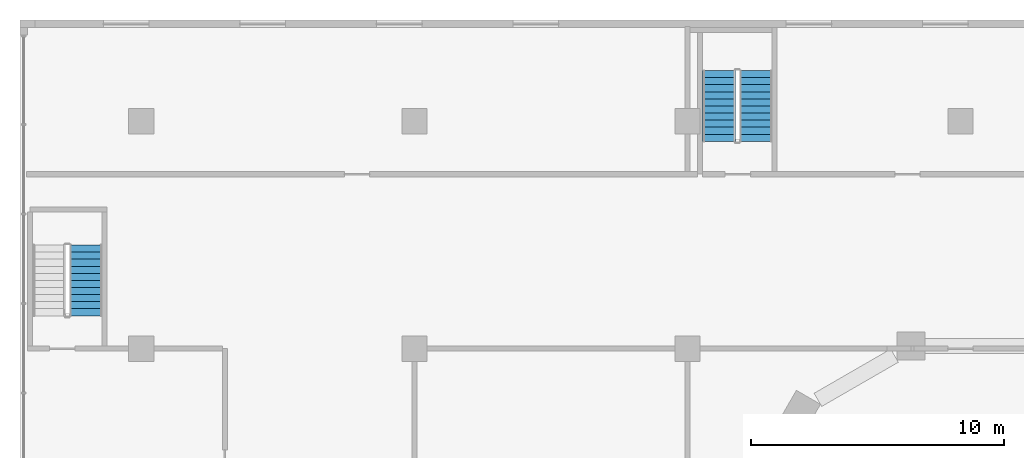
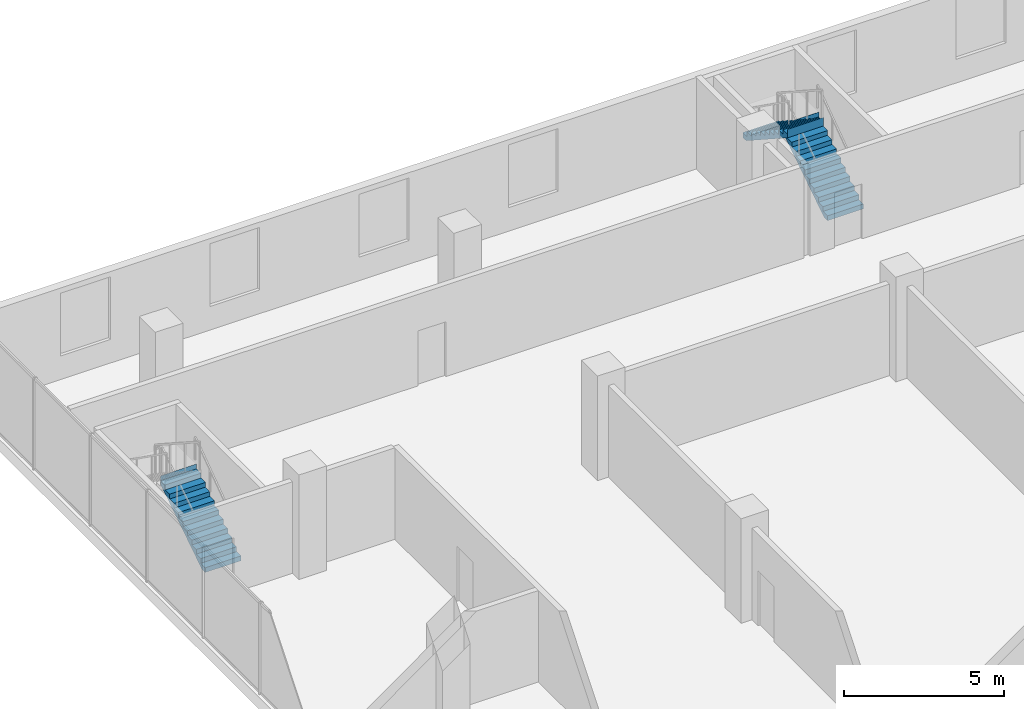
# One storey, part 37 of 45: 3 stair flights, 2 elements without a shape of their own.
"""IFC4 building model written with IfcOpenShell, lengths in metres."""

from ifc_helpers import new_model, si_unit, direction, frame, origin, place, context, subcontext, project, spatial, triangles, material, type_object, element, aggregate, save


model = new_model("IFC4")

# Units and contexts
model_context = context("Model", 3, precision=1e-05, world=origin(), true_north=direction((0.0, 1.0)))
body_context = subcontext(model_context, "Body", "Model", "MODEL_VIEW")
ifc_project = project(units=[si_unit("LENGTHUNIT", "METRE"), si_unit("AREAUNIT", "SQUARE_METRE"), si_unit("VOLUMEUNIT", "CUBIC_METRE"), si_unit("PLANEANGLEUNIT", "RADIAN"), si_unit("MASSUNIT", "GRAM", prefix="KILO")], contexts=[model_context])

# Site, building, storey
site_placement = place(None, origin())
site = spatial("IfcSite", under=ifc_project, at=site_placement, CompositionType="ELEMENT")
building_placement = place(site_placement, origin())
building = spatial("IfcBuilding", under=site, at=building_placement, Name="Beryl Residences", CompositionType="ELEMENT")
storey_placement = place(building_placement, frame((0.0, 0.0, 5.0)))
storey = spatial("IfcBuildingStorey", under=building, at=storey_placement, Name="L01", CompositionType="ELEMENT", Elevation=5.0)

# Stair, stair flights
ifc_material_1 = material(Name="Concrete C40/50", Category="concrete")
stair_type = type_object("IfcStairType", Name="ST1 protected exit stair, half-turn, 1300 mm flights", PredefinedType="HALF_TURN_STAIR", material=ifc_material_1)
stair_1_placement = place(storey_placement, origin())
stair_1 = element("IfcStair", 1, at=stair_1_placement, inside=storey, type_object=stair_type, Name="L01 Podium exit stair 1", PredefinedType="HALF_TURN_STAIR")
ifc_material_2 = material(Name="Concrete C40/50", Category="concrete")
stair_flight_type = type_object("IfcStairFlightType", Name="SF1 stair flight 1300 mm", PredefinedType="STRAIGHT", material=ifc_material_2)
stair_flight_1_placement = place(storey_placement, frame((-18.89990234375, 35.199951171875, 0.0), z_axis=(0.0, 0.0, 1.0), x_axis=(0.0, 1.0, 0.0)))
stair_flight_1 = element("IfcStairFlight", 2, at=stair_flight_1_placement, type_object=stair_flight_type, Name="PS-1 flight 1", NumberOfRisers=11, NumberOfTreads=10, PredefinedType="STRAIGHT", RiserHeight=0.181818182, TreadLength=0.28, context=body_context, shape_type="Tessellation", body=[
    triangles([(0.0, -0.64990234375, 0.0), (0.0, -0.324951171875, 0.0), (0.0, 0.0, 0.0), (0.0, 0.324951171875, 0.0), (0.0, 0.64990234375, 0.0), (0.0, -0.64990234375, 0.181884765625), (0.0, -0.324951171875, 0.181884765625), (0.0, 0.0, 0.181884765625), (0.0, 0.324951171875, 0.181884765625), (0.0, 0.64990234375, 0.181884765625), (0.280029296875, -0.64990234375, 0.181884765625), (0.280029296875, -0.324951171875, 0.181884765625), (0.280029296875, 0.0, 0.181884765625), (0.280029296875, 0.324951171875, 0.181884765625), (0.280029296875, 0.64990234375, 0.181884765625), (0.280029296875, -0.64990234375, 0.363525390625), (0.280029296875, -0.324951171875, 0.363525390625), (0.280029296875, 0.0, 0.363525390625), (0.280029296875, 0.324951171875, 0.363525390625), (0.280029296875, 0.64990234375, 0.363525390625), (0.56005859375, -0.64990234375, 0.363525390625), (0.56005859375, -0.324951171875, 0.363525390625), (0.56005859375, 0.0, 0.363525390625), (0.56005859375, 0.324951171875, 0.363525390625), (0.56005859375, 0.64990234375, 0.363525390625), (0.56005859375, -0.64990234375, 0.54541015625), (0.56005859375, -0.324951171875, 0.54541015625), (0.56005859375, 0.0, 0.54541015625), (0.56005859375, 0.324951171875, 0.54541015625), (0.56005859375, 0.64990234375, 0.54541015625), (0.840087890625, -0.64990234375, 0.54541015625), (0.840087890625, -0.324951171875, 0.54541015625), (0.840087890625, 0.0, 0.54541015625), (0.840087890625, 0.324951171875, 0.54541015625), (0.840087890625, 0.64990234375, 0.54541015625), (0.840087890625, -0.64990234375, 0.727294921875), (0.840087890625, -0.324951171875, 0.727294921875), (0.840087890625, 0.0, 0.727294921875), (0.840087890625, 0.324951171875, 0.727294921875), (0.840087890625, 0.64990234375, 0.727294921875), (1.1201171875, -0.64990234375, 0.727294921875), (1.1201171875, -0.324951171875, 0.727294921875), (1.1201171875, 0.0, 0.727294921875), (1.1201171875, 0.324951171875, 0.727294921875), (1.1201171875, 0.64990234375, 0.727294921875), (1.1201171875, -0.64990234375, 0.9091796875), (1.1201171875, -0.324951171875, 0.9091796875), (1.1201171875, 0.0, 0.9091796875), (1.1201171875, 0.324951171875, 0.9091796875), (1.1201171875, 0.64990234375, 0.9091796875), (1.39990234375, -0.64990234375, 0.9091796875), (1.39990234375, -0.324951171875, 0.9091796875), (1.39990234375, 0.0, 0.9091796875), (1.39990234375, 0.324951171875, 0.9091796875), (1.39990234375, 0.64990234375, 0.9091796875), (1.39990234375, -0.64990234375, 1.0908203125), (1.39990234375, -0.324951171875, 1.0908203125), (1.39990234375, 0.0, 1.0908203125), (1.39990234375, 0.324951171875, 1.0908203125), (1.39990234375, 0.64990234375, 1.0908203125), (1.679931640625, -0.64990234375, 1.0908203125), (1.679931640625, -0.324951171875, 1.0908203125), (1.679931640625, 0.0, 1.0908203125), (1.679931640625, 0.324951171875, 1.0908203125), (1.679931640625, 0.64990234375, 1.0908203125), (1.679931640625, -0.64990234375, 1.272705078125), (1.679931640625, -0.324951171875, 1.272705078125), (1.679931640625, 0.0, 1.272705078125), (1.679931640625, 0.324951171875, 1.272705078125), (1.679931640625, 0.64990234375, 1.272705078125), (1.9599609375, -0.64990234375, 1.272705078125), (1.9599609375, -0.324951171875, 1.272705078125), (1.9599609375, 0.0, 1.272705078125), (1.9599609375, 0.324951171875, 1.272705078125), (1.9599609375, 0.64990234375, 1.272705078125), (1.9599609375, -0.64990234375, 1.45458984375), (1.9599609375, -0.324951171875, 1.45458984375), (1.9599609375, 0.0, 1.45458984375), (1.9599609375, 0.324951171875, 1.45458984375), (1.9599609375, 0.64990234375, 1.45458984375), (2.239990234375, -0.64990234375, 1.45458984375), (2.239990234375, -0.324951171875, 1.45458984375), (2.239990234375, 0.0, 1.45458984375), (2.239990234375, 0.324951171875, 1.45458984375), (2.239990234375, 0.64990234375, 1.45458984375), (2.239990234375, -0.64990234375, 1.636474609375), (2.239990234375, -0.324951171875, 1.636474609375), (2.239990234375, 0.0, 1.636474609375), (2.239990234375, 0.324951171875, 1.636474609375), (2.239990234375, 0.64990234375, 1.636474609375), (2.52001953125, -0.64990234375, 1.636474609375), (2.52001953125, -0.324951171875, 1.636474609375), (2.52001953125, 0.0, 1.636474609375), (2.52001953125, 0.324951171875, 1.636474609375), (2.52001953125, 0.64990234375, 1.636474609375), (2.52001953125, -0.64990234375, 1.818115234375), (2.52001953125, -0.324951171875, 1.818115234375), (2.52001953125, 0.0, 1.818115234375), (2.52001953125, 0.324951171875, 1.818115234375), (2.52001953125, 0.64990234375, 1.818115234375), (2.800048828125, -0.64990234375, 1.818115234375), (2.800048828125, -0.324951171875, 1.818115234375), (2.800048828125, 0.0, 1.818115234375), (2.800048828125, 0.324951171875, 1.818115234375), (2.800048828125, 0.64990234375, 1.818115234375), (2.800048828125, -0.64990234375, 2.0), (2.800048828125, -0.324951171875, 2.0), (2.800048828125, 0.0, 2.0), (2.800048828125, 0.324951171875, 2.0), (2.800048828125, 0.64990234375, 2.0), (2.801025390625, -0.64990234375, 2.0), (2.801025390625, -0.324951171875, 2.0), (2.801025390625, 0.0, 2.0), (2.801025390625, 0.324951171875, 2.0), (2.801025390625, 0.64990234375, 2.0), (2.801025390625, -0.64990234375, 1.675048828125), (2.801025390625, -0.324951171875, 1.675048828125), (2.801025390625, 0.0, 1.675048828125), (2.801025390625, 0.324951171875, 1.675048828125), (2.801025390625, 0.64990234375, 1.675048828125), (0.221435546875, -0.64990234375, 0.0), (0.221435546875, -0.324951171875, 0.0), (0.221435546875, 0.0, 0.0), (0.221435546875, 0.324951171875, 0.0), (0.221435546875, 0.64990234375, 0.0)], [[1, 6, 7], [1, 7, 2], [2, 7, 8], [2, 8, 3], [3, 8, 9], [3, 9, 4], [4, 9, 10], [4, 10, 5], [6, 11, 12], [6, 12, 7], [7, 12, 13], [7, 13, 8], [8, 13, 14], [8, 14, 9], [9, 14, 15], [9, 15, 10], [11, 16, 17], [11, 17, 12], [12, 17, 18], [12, 18, 13], [13, 18, 19], [13, 19, 14], [14, 19, 20], [14, 20, 15], [16, 21, 22], [16, 22, 17], [17, 22, 23], [17, 23, 18], [18, 23, 24], [18, 24, 19], [19, 24, 25], [19, 25, 20], [21, 26, 27], [21, 27, 22], [22, 27, 28], [22, 28, 23], [23, 28, 29], [23, 29, 24], [24, 29, 30], [24, 30, 25], [26, 31, 32], [26, 32, 27], [27, 32, 33], [27, 33, 28], [28, 33, 34], [28, 34, 29], [29, 34, 35], [29, 35, 30], [31, 36, 37], [31, 37, 32], [32, 37, 38], [32, 38, 33], [33, 38, 39], [33, 39, 34], [34, 39, 40], [34, 40, 35], [36, 41, 42], [36, 42, 37], [37, 42, 43], [37, 43, 38], [38, 43, 44], [38, 44, 39], [39, 44, 45], [39, 45, 40], [41, 46, 47], [41, 47, 42], [42, 47, 48], [42, 48, 43], [43, 48, 49], [43, 49, 44], [44, 49, 50], [44, 50, 45], [46, 51, 52], [46, 52, 47], [47, 52, 53], [47, 53, 48], [48, 53, 54], [48, 54, 49], [49, 54, 55], [49, 55, 50], [51, 56, 57], [51, 57, 52], [52, 57, 58], [52, 58, 53], [53, 58, 59], [53, 59, 54], [54, 59, 60], [54, 60, 55], [56, 61, 62], [56, 62, 57], [57, 62, 63], [57, 63, 58], [58, 63, 64], [58, 64, 59], [59, 64, 65], [59, 65, 60], [61, 66, 67], [61, 67, 62], [62, 67, 68], [62, 68, 63], [63, 68, 69], [63, 69, 64], [64, 69, 70], [64, 70, 65], [66, 71, 72], [66, 72, 67], [67, 72, 73], [67, 73, 68], [68, 73, 74], [68, 74, 69], [69, 74, 75], [69, 75, 70], [71, 76, 77], [71, 77, 72], [72, 77, 78], [72, 78, 73], [73, 78, 79], [73, 79, 74], [74, 79, 80], [74, 80, 75], [76, 81, 82], [76, 82, 77], [77, 82, 83], [77, 83, 78], [78, 83, 84], [78, 84, 79], [79, 84, 85], [79, 85, 80], [81, 86, 87], [81, 87, 82], [82, 87, 88], [82, 88, 83], [83, 88, 89], [83, 89, 84], [84, 89, 90], [84, 90, 85], [86, 91, 92], [86, 92, 87], [87, 92, 93], [87, 93, 88], [88, 93, 94], [88, 94, 89], [89, 94, 95], [89, 95, 90], [91, 96, 97], [91, 97, 92], [92, 97, 98], [92, 98, 93], [93, 98, 99], [93, 99, 94], [94, 99, 100], [94, 100, 95], [96, 101, 102], [96, 102, 97], [97, 102, 103], [97, 103, 98], [98, 103, 104], [98, 104, 99], [99, 104, 105], [99, 105, 100], [101, 106, 107], [101, 107, 102], [102, 107, 108], [102, 108, 103], [103, 108, 109], [103, 109, 104], [104, 109, 110], [104, 110, 105], [106, 111, 112], [106, 112, 107], [107, 112, 113], [107, 113, 108], [108, 113, 114], [108, 114, 109], [109, 114, 115], [109, 115, 110], [111, 116, 117], [111, 117, 112], [112, 117, 118], [112, 118, 113], [113, 118, 119], [113, 119, 114], [114, 119, 120], [114, 120, 115], [116, 121, 122], [116, 122, 117], [117, 122, 123], [117, 123, 118], [118, 123, 124], [118, 124, 119], [119, 124, 125], [119, 125, 120], [121, 1, 2], [121, 2, 122], [122, 2, 3], [122, 3, 123], [123, 3, 4], [123, 4, 124], [124, 4, 5], [124, 5, 125], [1, 121, 116], [5, 120, 125], [116, 111, 106], [120, 110, 115], [116, 106, 101], [120, 105, 110], [116, 101, 96], [120, 100, 105], [116, 96, 91], [120, 95, 100], [91, 86, 81], [95, 85, 90], [116, 91, 81], [120, 85, 95], [81, 76, 71], [85, 75, 80], [116, 81, 71], [120, 75, 85], [71, 66, 61], [75, 65, 70], [116, 71, 61], [120, 65, 75], [61, 56, 51], [65, 55, 60], [116, 61, 51], [120, 55, 65], [51, 46, 41], [55, 45, 50], [116, 51, 41], [120, 45, 55], [41, 36, 31], [45, 35, 40], [116, 41, 31], [120, 35, 45], [31, 26, 21], [35, 25, 30], [116, 31, 21], [120, 25, 35], [1, 116, 21], [5, 25, 120], [21, 16, 11], [25, 15, 20], [1, 21, 11], [5, 15, 25], [11, 6, 1], [15, 5, 10]], closed=True),
])
stair_flight_2_placement = place(storey_placement, frame((-20.35009765625, 38.0, 2.0), z_axis=(0.0, 0.0, 1.0), x_axis=(0.0, -1.0, 0.0)))
stair_flight_2 = element("IfcStairFlight", 3, at=stair_flight_2_placement, type_object=stair_flight_type, Name="PS-1 flight 2", NumberOfRisers=11, NumberOfTreads=10, PredefinedType="STRAIGHT", RiserHeight=0.181818182, TreadLength=0.28, context=body_context, shape_type="Tessellation", body=[
    triangles([(0.0, -0.64990234375, 0.0), (0.0, -0.324951171875, 0.0), (0.0, 0.0, 0.0), (0.0, 0.324951171875, 0.0), (0.0, 0.64990234375, 0.0), (0.0, -0.64990234375, 0.181884765625), (0.0, -0.324951171875, 0.181884765625), (0.0, 0.0, 0.181884765625), (0.0, 0.324951171875, 0.181884765625), (0.0, 0.64990234375, 0.181884765625), (0.280029296875, -0.64990234375, 0.181884765625), (0.280029296875, -0.324951171875, 0.181884765625), (0.280029296875, 0.0, 0.181884765625), (0.280029296875, 0.324951171875, 0.181884765625), (0.280029296875, 0.64990234375, 0.181884765625), (0.280029296875, -0.64990234375, 0.363525390625), (0.280029296875, -0.324951171875, 0.363525390625), (0.280029296875, 0.0, 0.363525390625), (0.280029296875, 0.324951171875, 0.363525390625), (0.280029296875, 0.64990234375, 0.363525390625), (0.56005859375, -0.64990234375, 0.363525390625), (0.56005859375, -0.324951171875, 0.363525390625), (0.56005859375, 0.0, 0.363525390625), (0.56005859375, 0.324951171875, 0.363525390625), (0.56005859375, 0.64990234375, 0.363525390625), (0.56005859375, -0.64990234375, 0.54541015625), (0.56005859375, -0.324951171875, 0.54541015625), (0.56005859375, 0.0, 0.54541015625), (0.56005859375, 0.324951171875, 0.54541015625), (0.56005859375, 0.64990234375, 0.54541015625), (0.840087890625, -0.64990234375, 0.54541015625), (0.840087890625, -0.324951171875, 0.54541015625), (0.840087890625, 0.0, 0.54541015625), (0.840087890625, 0.324951171875, 0.54541015625), (0.840087890625, 0.64990234375, 0.54541015625), (0.840087890625, -0.64990234375, 0.727294921875), (0.840087890625, -0.324951171875, 0.727294921875), (0.840087890625, 0.0, 0.727294921875), (0.840087890625, 0.324951171875, 0.727294921875), (0.840087890625, 0.64990234375, 0.727294921875), (1.1201171875, -0.64990234375, 0.727294921875), (1.1201171875, -0.324951171875, 0.727294921875), (1.1201171875, 0.0, 0.727294921875), (1.1201171875, 0.324951171875, 0.727294921875), (1.1201171875, 0.64990234375, 0.727294921875), (1.1201171875, -0.64990234375, 0.9091796875), (1.1201171875, -0.324951171875, 0.9091796875), (1.1201171875, 0.0, 0.9091796875), (1.1201171875, 0.324951171875, 0.9091796875), (1.1201171875, 0.64990234375, 0.9091796875), (1.39990234375, -0.64990234375, 0.9091796875), (1.39990234375, -0.324951171875, 0.9091796875), (1.39990234375, 0.0, 0.9091796875), (1.39990234375, 0.324951171875, 0.9091796875), (1.39990234375, 0.64990234375, 0.9091796875), (1.39990234375, -0.64990234375, 1.0908203125), (1.39990234375, -0.324951171875, 1.0908203125), (1.39990234375, 0.0, 1.0908203125), (1.39990234375, 0.324951171875, 1.0908203125), (1.39990234375, 0.64990234375, 1.0908203125), (1.679931640625, -0.64990234375, 1.0908203125), (1.679931640625, -0.324951171875, 1.0908203125), (1.679931640625, 0.0, 1.0908203125), (1.679931640625, 0.324951171875, 1.0908203125), (1.679931640625, 0.64990234375, 1.0908203125), (1.679931640625, -0.64990234375, 1.272705078125), (1.679931640625, -0.324951171875, 1.272705078125), (1.679931640625, 0.0, 1.272705078125), (1.679931640625, 0.324951171875, 1.272705078125), (1.679931640625, 0.64990234375, 1.272705078125), (1.9599609375, -0.64990234375, 1.272705078125), (1.9599609375, -0.324951171875, 1.272705078125), (1.9599609375, 0.0, 1.272705078125), (1.9599609375, 0.324951171875, 1.272705078125), (1.9599609375, 0.64990234375, 1.272705078125), (1.9599609375, -0.64990234375, 1.45458984375), (1.9599609375, -0.324951171875, 1.45458984375), (1.9599609375, 0.0, 1.45458984375), (1.9599609375, 0.324951171875, 1.45458984375), (1.9599609375, 0.64990234375, 1.45458984375), (2.239990234375, -0.64990234375, 1.45458984375), (2.239990234375, -0.324951171875, 1.45458984375), (2.239990234375, 0.0, 1.45458984375), (2.239990234375, 0.324951171875, 1.45458984375), (2.239990234375, 0.64990234375, 1.45458984375), (2.239990234375, -0.64990234375, 1.636474609375), (2.239990234375, -0.324951171875, 1.636474609375), (2.239990234375, 0.0, 1.636474609375), (2.239990234375, 0.324951171875, 1.636474609375), (2.239990234375, 0.64990234375, 1.636474609375), (2.52001953125, -0.64990234375, 1.636474609375), (2.52001953125, -0.324951171875, 1.636474609375), (2.52001953125, 0.0, 1.636474609375), (2.52001953125, 0.324951171875, 1.636474609375), (2.52001953125, 0.64990234375, 1.636474609375), (2.52001953125, -0.64990234375, 1.818115234375), (2.52001953125, -0.324951171875, 1.818115234375), (2.52001953125, 0.0, 1.818115234375), (2.52001953125, 0.324951171875, 1.818115234375), (2.52001953125, 0.64990234375, 1.818115234375), (2.800048828125, -0.64990234375, 1.818115234375), (2.800048828125, -0.324951171875, 1.818115234375), (2.800048828125, 0.0, 1.818115234375), (2.800048828125, 0.324951171875, 1.818115234375), (2.800048828125, 0.64990234375, 1.818115234375), (2.800048828125, -0.64990234375, 2.0), (2.800048828125, -0.324951171875, 2.0), (2.800048828125, 0.0, 2.0), (2.800048828125, 0.324951171875, 2.0), (2.800048828125, 0.64990234375, 2.0), (2.801025390625, -0.64990234375, 2.0), (2.801025390625, -0.324951171875, 2.0), (2.801025390625, 0.0, 2.0), (2.801025390625, 0.324951171875, 2.0), (2.801025390625, 0.64990234375, 2.0), (2.801025390625, -0.64990234375, 1.675048828125), (2.801025390625, -0.324951171875, 1.675048828125), (2.801025390625, 0.0, 1.675048828125), (2.801025390625, 0.324951171875, 1.675048828125), (2.801025390625, 0.64990234375, 1.675048828125), (0.221435546875, -0.64990234375, 0.0), (0.221435546875, -0.324951171875, 0.0), (0.221435546875, 0.0, 0.0), (0.221435546875, 0.324951171875, 0.0), (0.221435546875, 0.64990234375, 0.0)], [[1, 6, 7], [1, 7, 2], [2, 7, 8], [2, 8, 3], [3, 8, 9], [3, 9, 4], [4, 9, 10], [4, 10, 5], [6, 11, 12], [6, 12, 7], [7, 12, 13], [7, 13, 8], [8, 13, 14], [8, 14, 9], [9, 14, 15], [9, 15, 10], [11, 16, 17], [11, 17, 12], [12, 17, 18], [12, 18, 13], [13, 18, 19], [13, 19, 14], [14, 19, 20], [14, 20, 15], [16, 21, 22], [16, 22, 17], [17, 22, 23], [17, 23, 18], [18, 23, 24], [18, 24, 19], [19, 24, 25], [19, 25, 20], [21, 26, 27], [21, 27, 22], [22, 27, 28], [22, 28, 23], [23, 28, 29], [23, 29, 24], [24, 29, 30], [24, 30, 25], [26, 31, 32], [26, 32, 27], [27, 32, 33], [27, 33, 28], [28, 33, 34], [28, 34, 29], [29, 34, 35], [29, 35, 30], [31, 36, 37], [31, 37, 32], [32, 37, 38], [32, 38, 33], [33, 38, 39], [33, 39, 34], [34, 39, 40], [34, 40, 35], [36, 41, 42], [36, 42, 37], [37, 42, 43], [37, 43, 38], [38, 43, 44], [38, 44, 39], [39, 44, 45], [39, 45, 40], [41, 46, 47], [41, 47, 42], [42, 47, 48], [42, 48, 43], [43, 48, 49], [43, 49, 44], [44, 49, 50], [44, 50, 45], [46, 51, 52], [46, 52, 47], [47, 52, 53], [47, 53, 48], [48, 53, 54], [48, 54, 49], [49, 54, 55], [49, 55, 50], [51, 56, 57], [51, 57, 52], [52, 57, 58], [52, 58, 53], [53, 58, 59], [53, 59, 54], [54, 59, 60], [54, 60, 55], [56, 61, 62], [56, 62, 57], [57, 62, 63], [57, 63, 58], [58, 63, 64], [58, 64, 59], [59, 64, 65], [59, 65, 60], [61, 66, 67], [61, 67, 62], [62, 67, 68], [62, 68, 63], [63, 68, 69], [63, 69, 64], [64, 69, 70], [64, 70, 65], [66, 71, 72], [66, 72, 67], [67, 72, 73], [67, 73, 68], [68, 73, 74], [68, 74, 69], [69, 74, 75], [69, 75, 70], [71, 76, 77], [71, 77, 72], [72, 77, 78], [72, 78, 73], [73, 78, 79], [73, 79, 74], [74, 79, 80], [74, 80, 75], [76, 81, 82], [76, 82, 77], [77, 82, 83], [77, 83, 78], [78, 83, 84], [78, 84, 79], [79, 84, 85], [79, 85, 80], [81, 86, 87], [81, 87, 82], [82, 87, 88], [82, 88, 83], [83, 88, 89], [83, 89, 84], [84, 89, 90], [84, 90, 85], [86, 91, 92], [86, 92, 87], [87, 92, 93], [87, 93, 88], [88, 93, 94], [88, 94, 89], [89, 94, 95], [89, 95, 90], [91, 96, 97], [91, 97, 92], [92, 97, 98], [92, 98, 93], [93, 98, 99], [93, 99, 94], [94, 99, 100], [94, 100, 95], [96, 101, 102], [96, 102, 97], [97, 102, 103], [97, 103, 98], [98, 103, 104], [98, 104, 99], [99, 104, 105], [99, 105, 100], [101, 106, 107], [101, 107, 102], [102, 107, 108], [102, 108, 103], [103, 108, 109], [103, 109, 104], [104, 109, 110], [104, 110, 105], [106, 111, 112], [106, 112, 107], [107, 112, 113], [107, 113, 108], [108, 113, 114], [108, 114, 109], [109, 114, 115], [109, 115, 110], [111, 116, 117], [111, 117, 112], [112, 117, 118], [112, 118, 113], [113, 118, 119], [113, 119, 114], [114, 119, 120], [114, 120, 115], [116, 121, 122], [116, 122, 117], [117, 122, 123], [117, 123, 118], [118, 123, 124], [118, 124, 119], [119, 124, 125], [119, 125, 120], [121, 1, 2], [121, 2, 122], [122, 2, 3], [122, 3, 123], [123, 3, 4], [123, 4, 124], [124, 4, 5], [124, 5, 125], [1, 121, 116], [5, 120, 125], [116, 111, 106], [120, 110, 115], [116, 106, 101], [120, 105, 110], [116, 101, 96], [120, 100, 105], [116, 96, 91], [120, 95, 100], [91, 86, 81], [95, 85, 90], [116, 91, 81], [120, 85, 95], [81, 76, 71], [85, 75, 80], [116, 81, 71], [120, 75, 85], [71, 66, 61], [75, 65, 70], [116, 71, 61], [120, 65, 75], [61, 56, 51], [65, 55, 60], [116, 61, 51], [120, 55, 65], [51, 46, 41], [55, 45, 50], [116, 51, 41], [120, 45, 55], [41, 36, 31], [45, 35, 40], [116, 41, 31], [120, 35, 45], [31, 26, 21], [35, 25, 30], [116, 31, 21], [120, 25, 35], [1, 116, 21], [5, 25, 120], [21, 16, 11], [25, 15, 20], [1, 21, 11], [5, 15, 25], [11, 6, 1], [15, 5, 10]], closed=True),
])
aggregate(stair_1, [stair_flight_1, stair_flight_2])

# Stair, stair flight
stair_2_placement = place(storey_placement, origin())
stair_2 = element("IfcStair", 4, at=stair_2_placement, inside=storey, type_object=stair_type, Name="L01 Podium exit stair 3", PredefinedType="HALF_TURN_STAIR")
stair_flight_3_placement = place(storey_placement, frame((-45.39990234375, 28.300048828125, 0.0), z_axis=(0.0, 0.0, 1.0), x_axis=(0.0, 1.0, 0.0)))
stair_flight_3 = element("IfcStairFlight", 5, at=stair_flight_3_placement, type_object=stair_flight_type, Name="PS-3 flight 1", NumberOfRisers=11, NumberOfTreads=10, PredefinedType="STRAIGHT", RiserHeight=0.181818182, TreadLength=0.28, context=body_context, shape_type="Tessellation", body=[
    triangles([(0.0, -0.64990234375, 0.0), (0.0, -0.324951171875, 0.0), (0.0, 0.0, 0.0), (0.0, 0.324951171875, 0.0), (0.0, 0.64990234375, 0.0), (0.0, -0.64990234375, 0.181884765625), (0.0, -0.324951171875, 0.181884765625), (0.0, 0.0, 0.181884765625), (0.0, 0.324951171875, 0.181884765625), (0.0, 0.64990234375, 0.181884765625), (0.280029296875, -0.64990234375, 0.181884765625), (0.280029296875, -0.324951171875, 0.181884765625), (0.280029296875, 0.0, 0.181884765625), (0.280029296875, 0.324951171875, 0.181884765625), (0.280029296875, 0.64990234375, 0.181884765625), (0.280029296875, -0.64990234375, 0.363525390625), (0.280029296875, -0.324951171875, 0.363525390625), (0.280029296875, 0.0, 0.363525390625), (0.280029296875, 0.324951171875, 0.363525390625), (0.280029296875, 0.64990234375, 0.363525390625), (0.56005859375, -0.64990234375, 0.363525390625), (0.56005859375, -0.324951171875, 0.363525390625), (0.56005859375, 0.0, 0.363525390625), (0.56005859375, 0.324951171875, 0.363525390625), (0.56005859375, 0.64990234375, 0.363525390625), (0.56005859375, -0.64990234375, 0.54541015625), (0.56005859375, -0.324951171875, 0.54541015625), (0.56005859375, 0.0, 0.54541015625), (0.56005859375, 0.324951171875, 0.54541015625), (0.56005859375, 0.64990234375, 0.54541015625), (0.840087890625, -0.64990234375, 0.54541015625), (0.840087890625, -0.324951171875, 0.54541015625), (0.840087890625, 0.0, 0.54541015625), (0.840087890625, 0.324951171875, 0.54541015625), (0.840087890625, 0.64990234375, 0.54541015625), (0.840087890625, -0.64990234375, 0.727294921875), (0.840087890625, -0.324951171875, 0.727294921875), (0.840087890625, 0.0, 0.727294921875), (0.840087890625, 0.324951171875, 0.727294921875), (0.840087890625, 0.64990234375, 0.727294921875), (1.1201171875, -0.64990234375, 0.727294921875), (1.1201171875, -0.324951171875, 0.727294921875), (1.1201171875, 0.0, 0.727294921875), (1.1201171875, 0.324951171875, 0.727294921875), (1.1201171875, 0.64990234375, 0.727294921875), (1.1201171875, -0.64990234375, 0.9091796875), (1.1201171875, -0.324951171875, 0.9091796875), (1.1201171875, 0.0, 0.9091796875), (1.1201171875, 0.324951171875, 0.9091796875), (1.1201171875, 0.64990234375, 0.9091796875), (1.39990234375, -0.64990234375, 0.9091796875), (1.39990234375, -0.324951171875, 0.9091796875), (1.39990234375, 0.0, 0.9091796875), (1.39990234375, 0.324951171875, 0.9091796875), (1.39990234375, 0.64990234375, 0.9091796875), (1.39990234375, -0.64990234375, 1.0908203125), (1.39990234375, -0.324951171875, 1.0908203125), (1.39990234375, 0.0, 1.0908203125), (1.39990234375, 0.324951171875, 1.0908203125), (1.39990234375, 0.64990234375, 1.0908203125), (1.679931640625, -0.64990234375, 1.0908203125), (1.679931640625, -0.324951171875, 1.0908203125), (1.679931640625, 0.0, 1.0908203125), (1.679931640625, 0.324951171875, 1.0908203125), (1.679931640625, 0.64990234375, 1.0908203125), (1.679931640625, -0.64990234375, 1.272705078125), (1.679931640625, -0.324951171875, 1.272705078125), (1.679931640625, 0.0, 1.272705078125), (1.679931640625, 0.324951171875, 1.272705078125), (1.679931640625, 0.64990234375, 1.272705078125), (1.9599609375, -0.64990234375, 1.272705078125), (1.9599609375, -0.324951171875, 1.272705078125), (1.9599609375, 0.0, 1.272705078125), (1.9599609375, 0.324951171875, 1.272705078125), (1.9599609375, 0.64990234375, 1.272705078125), (1.9599609375, -0.64990234375, 1.45458984375), (1.9599609375, -0.324951171875, 1.45458984375), (1.9599609375, 0.0, 1.45458984375), (1.9599609375, 0.324951171875, 1.45458984375), (1.9599609375, 0.64990234375, 1.45458984375), (2.239990234375, -0.64990234375, 1.45458984375), (2.239990234375, -0.324951171875, 1.45458984375), (2.239990234375, 0.0, 1.45458984375), (2.239990234375, 0.324951171875, 1.45458984375), (2.239990234375, 0.64990234375, 1.45458984375), (2.239990234375, -0.64990234375, 1.636474609375), (2.239990234375, -0.324951171875, 1.636474609375), (2.239990234375, 0.0, 1.636474609375), (2.239990234375, 0.324951171875, 1.636474609375), (2.239990234375, 0.64990234375, 1.636474609375), (2.52001953125, -0.64990234375, 1.636474609375), (2.52001953125, -0.324951171875, 1.636474609375), (2.52001953125, 0.0, 1.636474609375), (2.52001953125, 0.324951171875, 1.636474609375), (2.52001953125, 0.64990234375, 1.636474609375), (2.52001953125, -0.64990234375, 1.818115234375), (2.52001953125, -0.324951171875, 1.818115234375), (2.52001953125, 0.0, 1.818115234375), (2.52001953125, 0.324951171875, 1.818115234375), (2.52001953125, 0.64990234375, 1.818115234375), (2.800048828125, -0.64990234375, 1.818115234375), (2.800048828125, -0.324951171875, 1.818115234375), (2.800048828125, 0.0, 1.818115234375), (2.800048828125, 0.324951171875, 1.818115234375), (2.800048828125, 0.64990234375, 1.818115234375), (2.800048828125, -0.64990234375, 2.0), (2.800048828125, -0.324951171875, 2.0), (2.800048828125, 0.0, 2.0), (2.800048828125, 0.324951171875, 2.0), (2.800048828125, 0.64990234375, 2.0), (2.801025390625, -0.64990234375, 2.0), (2.801025390625, -0.324951171875, 2.0), (2.801025390625, 0.0, 2.0), (2.801025390625, 0.324951171875, 2.0), (2.801025390625, 0.64990234375, 2.0), (2.801025390625, -0.64990234375, 1.675048828125), (2.801025390625, -0.324951171875, 1.675048828125), (2.801025390625, 0.0, 1.675048828125), (2.801025390625, 0.324951171875, 1.675048828125), (2.801025390625, 0.64990234375, 1.675048828125), (0.221435546875, -0.64990234375, 0.0), (0.221435546875, -0.324951171875, 0.0), (0.221435546875, 0.0, 0.0), (0.221435546875, 0.324951171875, 0.0), (0.221435546875, 0.64990234375, 0.0)], [[1, 6, 7], [1, 7, 2], [2, 7, 8], [2, 8, 3], [3, 8, 9], [3, 9, 4], [4, 9, 10], [4, 10, 5], [6, 11, 12], [6, 12, 7], [7, 12, 13], [7, 13, 8], [8, 13, 14], [8, 14, 9], [9, 14, 15], [9, 15, 10], [11, 16, 17], [11, 17, 12], [12, 17, 18], [12, 18, 13], [13, 18, 19], [13, 19, 14], [14, 19, 20], [14, 20, 15], [16, 21, 22], [16, 22, 17], [17, 22, 23], [17, 23, 18], [18, 23, 24], [18, 24, 19], [19, 24, 25], [19, 25, 20], [21, 26, 27], [21, 27, 22], [22, 27, 28], [22, 28, 23], [23, 28, 29], [23, 29, 24], [24, 29, 30], [24, 30, 25], [26, 31, 32], [26, 32, 27], [27, 32, 33], [27, 33, 28], [28, 33, 34], [28, 34, 29], [29, 34, 35], [29, 35, 30], [31, 36, 37], [31, 37, 32], [32, 37, 38], [32, 38, 33], [33, 38, 39], [33, 39, 34], [34, 39, 40], [34, 40, 35], [36, 41, 42], [36, 42, 37], [37, 42, 43], [37, 43, 38], [38, 43, 44], [38, 44, 39], [39, 44, 45], [39, 45, 40], [41, 46, 47], [41, 47, 42], [42, 47, 48], [42, 48, 43], [43, 48, 49], [43, 49, 44], [44, 49, 50], [44, 50, 45], [46, 51, 52], [46, 52, 47], [47, 52, 53], [47, 53, 48], [48, 53, 54], [48, 54, 49], [49, 54, 55], [49, 55, 50], [51, 56, 57], [51, 57, 52], [52, 57, 58], [52, 58, 53], [53, 58, 59], [53, 59, 54], [54, 59, 60], [54, 60, 55], [56, 61, 62], [56, 62, 57], [57, 62, 63], [57, 63, 58], [58, 63, 64], [58, 64, 59], [59, 64, 65], [59, 65, 60], [61, 66, 67], [61, 67, 62], [62, 67, 68], [62, 68, 63], [63, 68, 69], [63, 69, 64], [64, 69, 70], [64, 70, 65], [66, 71, 72], [66, 72, 67], [67, 72, 73], [67, 73, 68], [68, 73, 74], [68, 74, 69], [69, 74, 75], [69, 75, 70], [71, 76, 77], [71, 77, 72], [72, 77, 78], [72, 78, 73], [73, 78, 79], [73, 79, 74], [74, 79, 80], [74, 80, 75], [76, 81, 82], [76, 82, 77], [77, 82, 83], [77, 83, 78], [78, 83, 84], [78, 84, 79], [79, 84, 85], [79, 85, 80], [81, 86, 87], [81, 87, 82], [82, 87, 88], [82, 88, 83], [83, 88, 89], [83, 89, 84], [84, 89, 90], [84, 90, 85], [86, 91, 92], [86, 92, 87], [87, 92, 93], [87, 93, 88], [88, 93, 94], [88, 94, 89], [89, 94, 95], [89, 95, 90], [91, 96, 97], [91, 97, 92], [92, 97, 98], [92, 98, 93], [93, 98, 99], [93, 99, 94], [94, 99, 100], [94, 100, 95], [96, 101, 102], [96, 102, 97], [97, 102, 103], [97, 103, 98], [98, 103, 104], [98, 104, 99], [99, 104, 105], [99, 105, 100], [101, 106, 107], [101, 107, 102], [102, 107, 108], [102, 108, 103], [103, 108, 109], [103, 109, 104], [104, 109, 110], [104, 110, 105], [106, 111, 112], [106, 112, 107], [107, 112, 113], [107, 113, 108], [108, 113, 114], [108, 114, 109], [109, 114, 115], [109, 115, 110], [111, 116, 117], [111, 117, 112], [112, 117, 118], [112, 118, 113], [113, 118, 119], [113, 119, 114], [114, 119, 120], [114, 120, 115], [116, 121, 122], [116, 122, 117], [117, 122, 123], [117, 123, 118], [118, 123, 124], [118, 124, 119], [119, 124, 125], [119, 125, 120], [121, 1, 2], [121, 2, 122], [122, 2, 3], [122, 3, 123], [123, 3, 4], [123, 4, 124], [124, 4, 5], [124, 5, 125], [1, 121, 116], [5, 120, 125], [116, 111, 106], [120, 110, 115], [116, 106, 101], [120, 105, 110], [116, 101, 96], [120, 100, 105], [116, 96, 91], [120, 95, 100], [91, 86, 81], [95, 85, 90], [116, 91, 81], [120, 85, 95], [81, 76, 71], [85, 75, 80], [116, 81, 71], [120, 75, 85], [71, 66, 61], [75, 65, 70], [116, 71, 61], [120, 65, 75], [61, 56, 51], [65, 55, 60], [116, 61, 51], [120, 55, 65], [51, 46, 41], [55, 45, 50], [116, 51, 41], [120, 45, 55], [41, 36, 31], [45, 35, 40], [116, 41, 31], [120, 35, 45], [31, 26, 21], [35, 25, 30], [116, 31, 21], [120, 25, 35], [1, 116, 21], [5, 25, 120], [21, 16, 11], [25, 15, 20], [1, 21, 11], [5, 15, 25], [11, 6, 1], [15, 5, 10]], closed=True),
])
aggregate(stair_2, [stair_flight_3])

save(model, "model.ifc")
